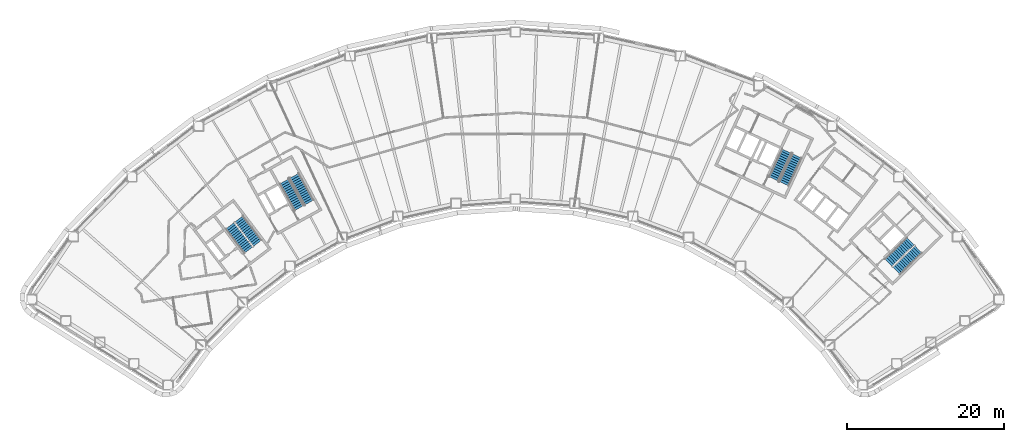
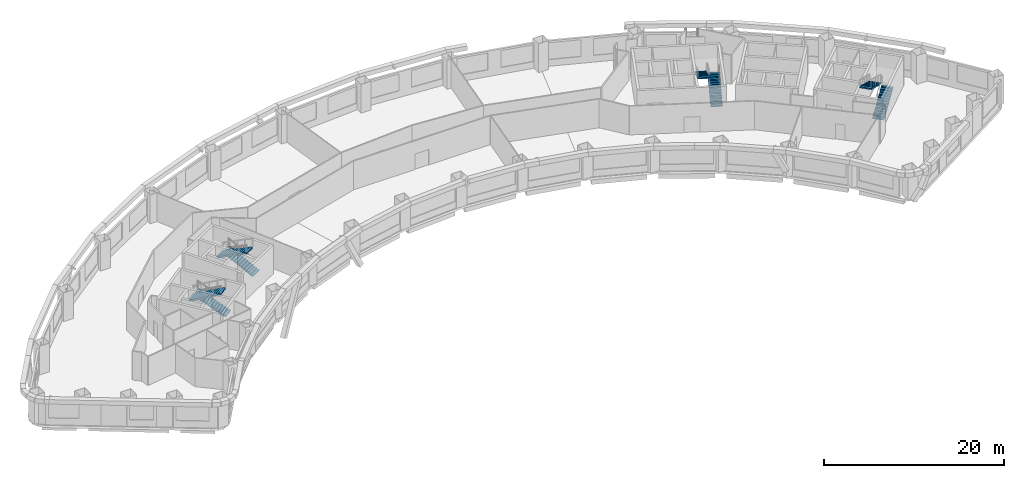
# One storey, part 9 of 14: 8 stair flights, 4 elements without a shape of their own.
"""IFC4 building model written with IfcOpenShell, lengths in metres."""

import ifcopenshell
import ifcopenshell.guid

model = None  # the IFC model being written
_history = None  # IfcOwnerHistory: only IFC2X3 demands one
_inside = {}  # id of a spatial element -> (the spatial element, [elements in it])
_under = {}  # id of a project, library or spatial element -> (it, [spatial elements below it])
_declared = {}  # id of a project -> (the project, [libraries it declares])
_typed = {}  # id of a type object -> (the type object, [elements of that type])
_made_of = {}  # id of a material, layer set ... -> (it, [elements and type objects made of it])


def new_model(schema):
    """Start an empty IFC model of exactly this schema.

    Asked for "IFC4X3", IfcOpenShell would pick the latest addendum, in which some entities
    have other attributes; the version numbers below select the first issue.
    IFC2X3 requires an IfcOwnerHistory on every rooted entity: one is made here for all.
    """
    global model, _history
    if schema == "IFC4X3":
        model = ifcopenshell.file(schema_version=(4, 3, 0, 0))
    else:
        model = ifcopenshell.file(schema=schema)
    _inside.clear()
    _under.clear()
    _declared.clear()
    _typed.clear()
    _made_of.clear()
    _history = None
    if model.schema == "IFC2X3":
        org = make("IfcOrganization", Name="unknown")
        user = make(
            "IfcPersonAndOrganization",
            ThePerson=make("IfcPerson", FamilyName="unknown"),
            TheOrganization=org,
        )
        app = make(
            "IfcApplication",
            ApplicationDeveloper=org,
            Version="unknown",
            ApplicationFullName="unknown",
            ApplicationIdentifier="unknown",
        )
        _history = make(
            "IfcOwnerHistory",
            OwningUser=user,
            OwningApplication=app,
            ChangeAction="ADDED",
            CreationDate=0,
        )
    return model


def make(cls, **values):
    """One entity of the class cls with the attributes given. An attribute that is None is left unset."""
    return model.create_entity(
        cls, **{name: value for name, value in values.items() if value is not None}
    )


def rooted(cls, **values):
    """An entity with a GlobalId (a new one), such as an element, a storey or a relation."""
    return make(cls, GlobalId=ifcopenshell.guid.new(), OwnerHistory=_history, **values)


def si_unit(unit_type, name, prefix=None):
    """IfcSIUnit, for example si_unit("LENGTHUNIT", "METRE", prefix="MILLI")."""
    return make("IfcSIUnit", UnitType=unit_type, Prefix=prefix, Name=name)


def assignment(units):
    """IfcUnitAssignment: the units of a project."""
    return None if units is None else make("IfcUnitAssignment", Units=units)


def point(xyz):
    """IfcCartesianPoint."""
    return None if xyz is None else make("IfcCartesianPoint", Coordinates=xyz)


def direction(xyz):
    """IfcDirection."""
    return None if xyz is None else make("IfcDirection", DirectionRatios=xyz)


def frame(location, z_axis=None, x_axis=None):
    """IfcAxis2Placement3D, a coordinate frame: its origin and axes. An axis left out is left unset."""
    return make(
        "IfcAxis2Placement3D",
        Location=point(location),
        Axis=direction(z_axis),
        RefDirection=direction(x_axis),
    )


def origin():
    """The frame at (0, 0, 0) with its axes left unset."""
    return frame((0.0, 0.0, 0.0))


def place(relative_to, where):
    """IfcLocalPlacement: puts the frame where relative to a parent placement (None: the world)."""
    return make(
        "IfcLocalPlacement", PlacementRelTo=relative_to, RelativePlacement=where
    )


def context(
    kind, dimensions, precision=None, world=None, true_north=None, identifier=None
):
    """IfcGeometricRepresentationContext, for example the 3D "Model" context."""
    return make(
        "IfcGeometricRepresentationContext",
        ContextIdentifier=identifier,
        ContextType=kind,
        CoordinateSpaceDimension=dimensions,
        Precision=precision,
        WorldCoordinateSystem=world,
        TrueNorth=true_north,
    )


def subcontext(parent, identifier, kind, view, scale=None):
    """IfcGeometricRepresentationSubContext, for example "Body" below "Model"."""
    return make(
        "IfcGeometricRepresentationSubContext",
        ContextIdentifier=identifier,
        ContextType=kind,
        ParentContext=parent,
        TargetScale=scale,
        TargetView=view,
    )


def project(units=None, contexts=None):
    """IfcProject with its units and contexts."""
    return rooted(
        "IfcProject",
        Name="project",
        RepresentationContexts=contexts,
        UnitsInContext=assignment(units),
    )


def spatial(cls, under=None, at=None, **own):
    """A site, building, storey or space (cls), placed at a placement, below another one or the project."""
    s = rooted(cls, ObjectPlacement=at, **own)
    if under is not None:
        _under.setdefault(under.id(), (under, []))[1].append(s)
    return s


def polyline(points):
    """IfcPolyline through the points."""
    return make("IfcPolyline", Points=[point(p) for p in points])


def outline(outer, holes=None, kind="AREA"):
    """IfcArbitraryClosedProfileDef: a profile drawn as a closed curve; with holes, ...WithVoids."""
    if holes is None:
        return make("IfcArbitraryClosedProfileDef", ProfileType=kind, OuterCurve=outer)
    return make(
        "IfcArbitraryProfileDefWithVoids",
        ProfileType=kind,
        OuterCurve=outer,
        InnerCurves=holes,
    )


def extrude(swept, where, along, depth):
    """IfcExtrudedAreaSolid: the profile swept, set in the frame where, extruded along a direction by depth."""
    return make(
        "IfcExtrudedAreaSolid",
        SweptArea=swept,
        Position=where,
        ExtrudedDirection=direction(along),
        Depth=depth,
    )


def shape(context_of_items, identifier, shape_type, items):
    """IfcShapeRepresentation: the items that make up one representation, for example the "Body"."""
    return make(
        "IfcShapeRepresentation",
        ContextOfItems=context_of_items,
        RepresentationIdentifier=identifier,
        RepresentationType=shape_type,
        Items=items,
    )


def material(Name=None, Category=None):
    """IfcMaterial."""
    return make("IfcMaterial", Name=Name, Category=Category)


def made_of(thing, what):
    """Note that an element or type object is made of a material, layer set ...; save() writes the relation."""
    if what is not None:
        _made_of.setdefault(what.id(), (what, []))[1].append(thing)
    return thing


def type_object(cls, material=None, **own):
    """A type object (cls), such as IfcWallType, which elements share."""
    return made_of(rooted(cls, **own), material)


def element(
    cls,
    number,
    at=None,
    inside=None,
    cuts=None,
    type_object=None,
    material=None,
    context=None,
    identifier="Body",
    shape_type=None,
    held_by="IfcProductDefinitionShape",
    body=None,
    shapes=None,
    **own,
):
    """One element of the class cls, such as IfcWall. Its Tag is "e" and its number.

    at: its placement. inside: the storey or other place that contains it. cuts: it is an
    opening in that element (IfcRelVoidsElement). A single representation is given by context,
    identifier, shape_type and body (its items); several are given by shapes. held_by: the class
    of the entity that holds the representations. save() writes the other relations.
    """
    e = rooted(cls, Tag="e%d" % number, ObjectPlacement=at, **own)
    if body is not None:
        shapes = [shape(context, identifier, shape_type, body)]
    if shapes is not None:
        e.Representation = make(held_by, Representations=shapes)
    if inside is not None:
        _inside.setdefault(inside.id(), (inside, []))[1].append(e)
    if cuts is not None:
        rooted(
            "IfcRelVoidsElement", RelatingBuildingElement=cuts, RelatedOpeningElement=e
        )
    if type_object is not None:
        _typed.setdefault(type_object.id(), (type_object, []))[1].append(e)
    return made_of(e, material)


def aggregate(whole, parts):
    """IfcRelAggregates: a whole, such as a stair, and the parts it consists of."""
    return rooted("IfcRelAggregates", RelatingObject=whole, RelatedObjects=parts)


def save(model, path):
    """Write the relations noted so far, then the file.

    IfcRelAggregates (storeys below a building ...), IfcRelContainedInSpatialStructure (elements
    in a storey), IfcRelDefinesByType, IfcRelAssociatesMaterial and IfcRelDeclares: one each for
    every whole, place, type object, material and project.
    """
    for whole, parts in _under.values():
        aggregate(whole, parts)
    for where, things in _inside.values():
        rooted(
            "IfcRelContainedInSpatialStructure",
            RelatedElements=things,
            RelatingStructure=where,
        )
    for kind, things in _typed.values():
        rooted("IfcRelDefinesByType", RelatedObjects=things, RelatingType=kind)
    for what, things in _made_of.values():
        rooted("IfcRelAssociatesMaterial", RelatedObjects=things, RelatingMaterial=what)
    for by, libraries in _declared.values():
        rooted("IfcRelDeclares", RelatingContext=by, RelatedDefinitions=libraries)
    model.write(path)


model = new_model("IFC4")

# Units and contexts
model_context = context("Model", 3, precision=1e-05, world=origin(), true_north=direction((0.0, 1.0)))
body_context = subcontext(model_context, "Body", "Model", "MODEL_VIEW")
ifc_project = project(units=[si_unit("LENGTHUNIT", "METRE"), si_unit("AREAUNIT", "SQUARE_METRE"), si_unit("VOLUMEUNIT", "CUBIC_METRE"), si_unit("PLANEANGLEUNIT", "RADIAN"), si_unit("MASSUNIT", "GRAM", prefix="KILO")], contexts=[model_context])

# Site, building, storey
site_placement = place(None, origin())
site = spatial("IfcSite", under=ifc_project, at=site_placement, CompositionType="ELEMENT")
building_placement = place(site_placement, origin())
building = spatial("IfcBuilding", under=site, at=building_placement, Name="Tuul Gate Civic Tower", CompositionType="ELEMENT")
storey_placement = place(building_placement, frame((0.0, 0.0, 44.10009765625)))
storey = spatial("IfcBuildingStorey", under=building, at=storey_placement, Name="Level 09", CompositionType="ELEMENT", Elevation=44.10009765625)

# Stair, stair flights
ifc_material_1 = material(Name="Concrete C40/50", Category="concrete")
stair_type = type_object("IfcStairType", Name="Exit stair", PredefinedType="HALF_TURN_STAIR", material=ifc_material_1)
stair_1_placement = place(storey_placement, origin())
stair_1 = element("IfcStair", 1, at=stair_1_placement, inside=storey, type_object=stair_type, Name="Level 09 ST-1", PredefinedType="HALF_TURN_STAIR")
ifc_material_2 = material(Name="Concrete C40/50", Category="concrete")
stair_flight_type = type_object("IfcStairFlightType", Name="Exit stair flight", PredefinedType="STRAIGHT", material=ifc_material_2)
stair_flight_1_placement = place(storey_placement, frame((-32.875244140625, -13.066650390625, 0.0), z_axis=(0.0, 0.0, 1.0), x_axis=(-0.605764474941, 0.795644016442, 0.0)))
stair_flight_1 = element("IfcStairFlight", 2, at=stair_flight_1_placement, type_object=stair_flight_type, Name="ST-1 flight 1", NumberOfRisers=14, NumberOfTreads=13, PredefinedType="STRAIGHT", RiserHeight=0.15, TreadLength=0.3, context=body_context, shape_type="SweptSolid", body=[
    extrude(outline(polyline([(0.0, 0.0), (0.0, 0.14990234375), (0.300048828125, 0.14990234375), (0.300048828125, 0.300048828125), (0.60009765625, 0.300048828125), (0.60009765625, 0.449951171875), (0.89990234375, 0.449951171875), (0.89990234375, 0.60009765625), (1.199951171875, 0.60009765625), (1.199951171875, 0.75), (1.5, 0.75), (1.5, 0.89990234375), (1.800048828125, 0.89990234375), (1.800048828125, 1.050048828125), (2.10009765625, 1.050048828125), (2.10009765625, 1.199951171875), (2.39990234375, 1.199951171875), (2.39990234375, 1.35009765625), (2.699951171875, 1.35009765625), (2.699951171875, 1.5), (3.0, 1.5), (3.0, 1.64990234375), (3.300048828125, 1.64990234375), (3.300048828125, 1.800048828125), (3.60009765625, 1.800048828125), (3.60009765625, 1.949951171875), (3.89990234375, 1.949951171875), (3.89990234375, 2.10009765625), (3.89990234375, 1.782470703125), (0.335205078125, 0.0), (0.0, 0.0)])), frame((0.0, 0.675048828125, 0.0), z_axis=(0.0, -1.0, 0.0), x_axis=(1.0, 0.0, 0.0)), (0.0, 0.0, 1.0), 1.35009765625),
])
stair_flight_2_placement = place(storey_placement, frame((-36.391357421875, -10.842041015625, 2.099853515625), z_axis=(0.0, 0.0, 1.0), x_axis=(0.605764474941, -0.795644016442, 0.0)))
stair_flight_2 = element("IfcStairFlight", 3, at=stair_flight_2_placement, type_object=stair_flight_type, Name="ST-1 flight 2", NumberOfRisers=14, NumberOfTreads=13, PredefinedType="STRAIGHT", RiserHeight=0.15, TreadLength=0.3, context=body_context, shape_type="SweptSolid", body=[
    extrude(outline(polyline([(0.0, 0.0), (0.0, 0.14990234375), (0.300048828125, 0.14990234375), (0.300048828125, 0.300048828125), (0.60009765625, 0.300048828125), (0.60009765625, 0.449951171875), (0.89990234375, 0.449951171875), (0.89990234375, 0.60009765625), (1.199951171875, 0.60009765625), (1.199951171875, 0.75), (1.5, 0.75), (1.5, 0.89990234375), (1.800048828125, 0.89990234375), (1.800048828125, 1.050048828125), (2.10009765625, 1.050048828125), (2.10009765625, 1.199951171875), (2.39990234375, 1.199951171875), (2.39990234375, 1.35009765625), (2.699951171875, 1.35009765625), (2.699951171875, 1.5), (3.0, 1.5), (3.0, 1.64990234375), (3.300048828125, 1.64990234375), (3.300048828125, 1.800048828125), (3.60009765625, 1.800048828125), (3.60009765625, 1.949951171875), (3.89990234375, 1.949951171875), (3.89990234375, 2.10009765625), (3.89990234375, 1.782470703125), (0.335205078125, 0.0), (0.0, 0.0)])), frame((0.0, 0.675048828125, 0.0), z_axis=(0.0, -1.0, 0.0), x_axis=(1.0, 0.0, 0.0)), (0.0, 0.0, 1.0), 1.35009765625),
])
aggregate(stair_1, [stair_flight_1, stair_flight_2])

stair_2_placement = place(storey_placement, origin())
stair_2 = element("IfcStair", 4, at=stair_2_placement, inside=storey, type_object=stair_type, Name="Level 09 ST-2", PredefinedType="HALF_TURN_STAIR")
stair_flight_3_placement = place(storey_placement, frame((-26.29150390625, -7.87646484375, 0.0), z_axis=(0.0, 0.0, 1.0), x_axis=(-0.484761763766, 0.874646232708, 0.0)))
stair_flight_3 = element("IfcStairFlight", 5, at=stair_flight_3_placement, type_object=stair_flight_type, Name="ST-2 flight 1", NumberOfRisers=14, NumberOfTreads=13, PredefinedType="STRAIGHT", RiserHeight=0.15, TreadLength=0.3, context=body_context, shape_type="SweptSolid", body=[
    extrude(outline(polyline([(0.0, 0.0), (0.0, 0.14990234375), (0.300048828125, 0.14990234375), (0.300048828125, 0.300048828125), (0.60009765625, 0.300048828125), (0.60009765625, 0.449951171875), (0.89990234375, 0.449951171875), (0.89990234375, 0.60009765625), (1.199951171875, 0.60009765625), (1.199951171875, 0.75), (1.5, 0.75), (1.5, 0.89990234375), (1.800048828125, 0.89990234375), (1.800048828125, 1.050048828125), (2.10009765625, 1.050048828125), (2.10009765625, 1.199951171875), (2.39990234375, 1.199951171875), (2.39990234375, 1.35009765625), (2.699951171875, 1.35009765625), (2.699951171875, 1.5), (3.0, 1.5), (3.0, 1.64990234375), (3.300048828125, 1.64990234375), (3.300048828125, 1.800048828125), (3.60009765625, 1.800048828125), (3.60009765625, 1.949951171875), (3.89990234375, 1.949951171875), (3.89990234375, 2.10009765625), (3.89990234375, 1.782470703125), (0.335205078125, 0.0), (0.0, 0.0)])), frame((0.0, 0.675048828125, 0.0), z_axis=(0.0, -1.0, 0.0), x_axis=(1.0, 0.0, 0.0)), (0.0, 0.0, 1.0), 1.35009765625),
])
stair_flight_4_placement = place(storey_placement, frame((-29.450439453125, -5.168212890625, 2.099853515625), z_axis=(0.0, 0.0, 1.0), x_axis=(0.484761763766, -0.874646232708, 0.0)))
stair_flight_4 = element("IfcStairFlight", 6, at=stair_flight_4_placement, type_object=stair_flight_type, Name="ST-2 flight 2", NumberOfRisers=14, NumberOfTreads=13, PredefinedType="STRAIGHT", RiserHeight=0.15, TreadLength=0.3, context=body_context, shape_type="SweptSolid", body=[
    extrude(outline(polyline([(0.0, 0.0), (0.0, 0.14990234375), (0.300048828125, 0.14990234375), (0.300048828125, 0.300048828125), (0.60009765625, 0.300048828125), (0.60009765625, 0.449951171875), (0.89990234375, 0.449951171875), (0.89990234375, 0.60009765625), (1.199951171875, 0.60009765625), (1.199951171875, 0.75), (1.5, 0.75), (1.5, 0.89990234375), (1.800048828125, 0.89990234375), (1.800048828125, 1.050048828125), (2.10009765625, 1.050048828125), (2.10009765625, 1.199951171875), (2.39990234375, 1.199951171875), (2.39990234375, 1.35009765625), (2.699951171875, 1.35009765625), (2.699951171875, 1.5), (3.0, 1.5), (3.0, 1.64990234375), (3.300048828125, 1.64990234375), (3.300048828125, 1.800048828125), (3.60009765625, 1.800048828125), (3.60009765625, 1.949951171875), (3.89990234375, 1.949951171875), (3.89990234375, 2.10009765625), (3.89990234375, 1.782470703125), (0.335205078125, 0.0), (0.0, 0.0)])), frame((0.0, 0.675048828125, 0.0), z_axis=(0.0, -1.0, 0.0), x_axis=(1.0, 0.0, 0.0)), (0.0, 0.0, 1.0), 1.35009765625),
])
aggregate(stair_2, [stair_flight_3, stair_flight_4])

stair_3_placement = place(storey_placement, origin())
stair_3 = element("IfcStair", 7, at=stair_3_placement, inside=storey, type_object=stair_type, Name="Level 09 ST-3", PredefinedType="HALF_TURN_STAIR")
stair_flight_5_placement = place(storey_placement, frame((48.61376953125, -16.581787109375, 0.0), z_axis=(0.0, 0.0, 1.0), x_axis=(0.714127290059, 0.700015866672, 0.0)))
stair_flight_5 = element("IfcStairFlight", 8, at=stair_flight_5_placement, type_object=stair_flight_type, Name="ST-3 flight 1", NumberOfRisers=14, NumberOfTreads=13, PredefinedType="STRAIGHT", RiserHeight=0.15, TreadLength=0.3, context=body_context, shape_type="SweptSolid", body=[
    extrude(outline(polyline([(0.0, 0.0), (0.0, 0.14990234375), (0.300048828125, 0.14990234375), (0.300048828125, 0.300048828125), (0.60009765625, 0.300048828125), (0.60009765625, 0.449951171875), (0.89990234375, 0.449951171875), (0.89990234375, 0.60009765625), (1.199951171875, 0.60009765625), (1.199951171875, 0.75), (1.5, 0.75), (1.5, 0.89990234375), (1.800048828125, 0.89990234375), (1.800048828125, 1.050048828125), (2.10009765625, 1.050048828125), (2.10009765625, 1.199951171875), (2.39990234375, 1.199951171875), (2.39990234375, 1.35009765625), (2.699951171875, 1.35009765625), (2.699951171875, 1.5), (3.0, 1.5), (3.0, 1.64990234375), (3.300048828125, 1.64990234375), (3.300048828125, 1.800048828125), (3.60009765625, 1.800048828125), (3.60009765625, 1.949951171875), (3.89990234375, 1.949951171875), (3.89990234375, 2.10009765625), (3.89990234375, 1.782470703125), (0.335205078125, 0.0), (0.0, 0.0)])), frame((0.0, 0.675048828125, 0.0), z_axis=(0.0, -1.0, 0.0), x_axis=(1.0, 0.0, 0.0)), (0.0, 0.0, 1.0), 1.35009765625),
])
stair_flight_6_placement = place(storey_placement, frame((50.3837890625, -12.816162109375, 2.099853515625), z_axis=(0.0, 0.0, 1.0), x_axis=(-0.714127290059, -0.700015866672, 0.0)))
stair_flight_6 = element("IfcStairFlight", 9, at=stair_flight_6_placement, type_object=stair_flight_type, Name="ST-3 flight 2", NumberOfRisers=14, NumberOfTreads=13, PredefinedType="STRAIGHT", RiserHeight=0.15, TreadLength=0.3, context=body_context, shape_type="SweptSolid", body=[
    extrude(outline(polyline([(0.0, 0.0), (0.0, 0.14990234375), (0.300048828125, 0.14990234375), (0.300048828125, 0.300048828125), (0.60009765625, 0.300048828125), (0.60009765625, 0.449951171875), (0.89990234375, 0.449951171875), (0.89990234375, 0.60009765625), (1.199951171875, 0.60009765625), (1.199951171875, 0.75), (1.5, 0.75), (1.5, 0.89990234375), (1.800048828125, 0.89990234375), (1.800048828125, 1.050048828125), (2.10009765625, 1.050048828125), (2.10009765625, 1.199951171875), (2.39990234375, 1.199951171875), (2.39990234375, 1.35009765625), (2.699951171875, 1.35009765625), (2.699951171875, 1.5), (3.0, 1.5), (3.0, 1.64990234375), (3.300048828125, 1.64990234375), (3.300048828125, 1.800048828125), (3.60009765625, 1.800048828125), (3.60009765625, 1.949951171875), (3.89990234375, 1.949951171875), (3.89990234375, 2.10009765625), (3.89990234375, 1.782470703125), (0.335205078125, 0.0), (0.0, 0.0)])), frame((0.0, 0.675048828125, 0.0), z_axis=(0.0, -1.0, 0.0), x_axis=(1.0, 0.0, 0.0)), (0.0, 0.0, 1.0), 1.35009765625),
])
aggregate(stair_3, [stair_flight_5, stair_flight_6])

stair_4_placement = place(storey_placement, origin())
stair_4 = element("IfcStair", 10, at=stair_4_placement, inside=storey, type_object=stair_type, Name="Level 09 ST-4", PredefinedType="HALF_TURN_STAIR")
stair_flight_7_placement = place(storey_placement, frame((34.278564453125, -5.478515625, 0.0), z_axis=(0.0, 0.0, 1.0), x_axis=(0.422576295988, 0.906327354806, 0.0)))
stair_flight_7 = element("IfcStairFlight", 11, at=stair_flight_7_placement, type_object=stair_flight_type, Name="ST-4 flight 1", NumberOfRisers=14, NumberOfTreads=13, PredefinedType="STRAIGHT", RiserHeight=0.15, TreadLength=0.3, context=body_context, shape_type="SweptSolid", body=[
    extrude(outline(polyline([(0.0, 0.0), (0.0, 0.14990234375), (0.300048828125, 0.14990234375), (0.300048828125, 0.300048828125), (0.60009765625, 0.300048828125), (0.60009765625, 0.449951171875), (0.89990234375, 0.449951171875), (0.89990234375, 0.60009765625), (1.199951171875, 0.60009765625), (1.199951171875, 0.75), (1.5, 0.75), (1.5, 0.89990234375), (1.800048828125, 0.89990234375), (1.800048828125, 1.050048828125), (2.10009765625, 1.050048828125), (2.10009765625, 1.199951171875), (2.39990234375, 1.199951171875), (2.39990234375, 1.35009765625), (2.699951171875, 1.35009765625), (2.699951171875, 1.5), (3.0, 1.5), (3.0, 1.64990234375), (3.300048828125, 1.64990234375), (3.300048828125, 1.800048828125), (3.60009765625, 1.800048828125), (3.60009765625, 1.949951171875), (3.89990234375, 1.949951171875), (3.89990234375, 2.10009765625), (3.89990234375, 1.782470703125), (0.335205078125, 0.0), (0.0, 0.0)])), frame((0.0, 0.675048828125, 0.0), z_axis=(0.0, -1.0, 0.0), x_axis=(1.0, 0.0, 0.0)), (0.0, 0.0, 1.0), 1.35009765625),
])
stair_flight_8_placement = place(storey_placement, frame((34.612548828125, -1.3310546875, 2.099853515625), z_axis=(0.0, 0.0, 1.0), x_axis=(-0.422576295988, -0.906327354806, 0.0)))
stair_flight_8 = element("IfcStairFlight", 12, at=stair_flight_8_placement, type_object=stair_flight_type, Name="ST-4 flight 2", NumberOfRisers=14, NumberOfTreads=13, PredefinedType="STRAIGHT", RiserHeight=0.15, TreadLength=0.3, context=body_context, shape_type="SweptSolid", body=[
    extrude(outline(polyline([(0.0, 0.0), (0.0, 0.14990234375), (0.300048828125, 0.14990234375), (0.300048828125, 0.300048828125), (0.60009765625, 0.300048828125), (0.60009765625, 0.449951171875), (0.89990234375, 0.449951171875), (0.89990234375, 0.60009765625), (1.199951171875, 0.60009765625), (1.199951171875, 0.75), (1.5, 0.75), (1.5, 0.89990234375), (1.800048828125, 0.89990234375), (1.800048828125, 1.050048828125), (2.10009765625, 1.050048828125), (2.10009765625, 1.199951171875), (2.39990234375, 1.199951171875), (2.39990234375, 1.35009765625), (2.699951171875, 1.35009765625), (2.699951171875, 1.5), (3.0, 1.5), (3.0, 1.64990234375), (3.300048828125, 1.64990234375), (3.300048828125, 1.800048828125), (3.60009765625, 1.800048828125), (3.60009765625, 1.949951171875), (3.89990234375, 1.949951171875), (3.89990234375, 2.10009765625), (3.89990234375, 1.782470703125), (0.335205078125, 0.0), (0.0, 0.0)])), frame((0.0, 0.675048828125, 0.0), z_axis=(0.0, -1.0, 0.0), x_axis=(1.0, 0.0, 0.0)), (0.0, 0.0, 1.0), 1.35009765625),
])
aggregate(stair_4, [stair_flight_7, stair_flight_8])

save(model, "model.ifc")
